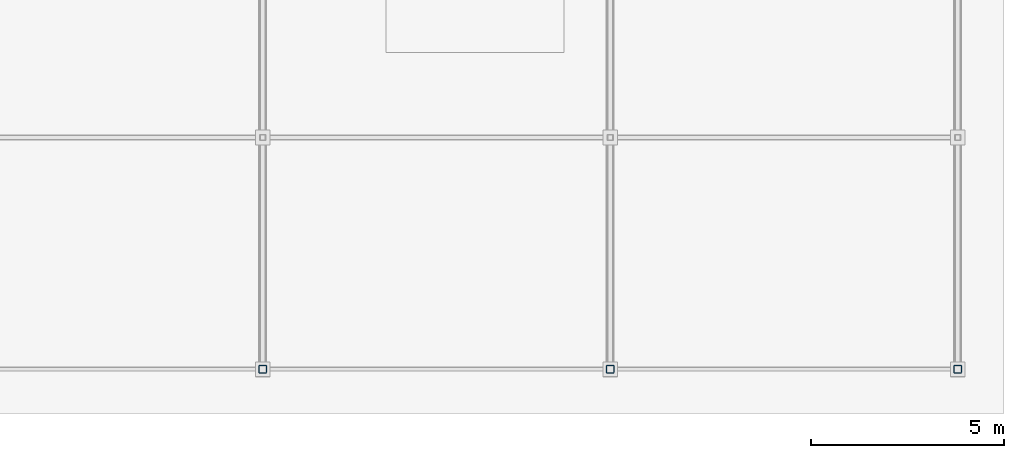
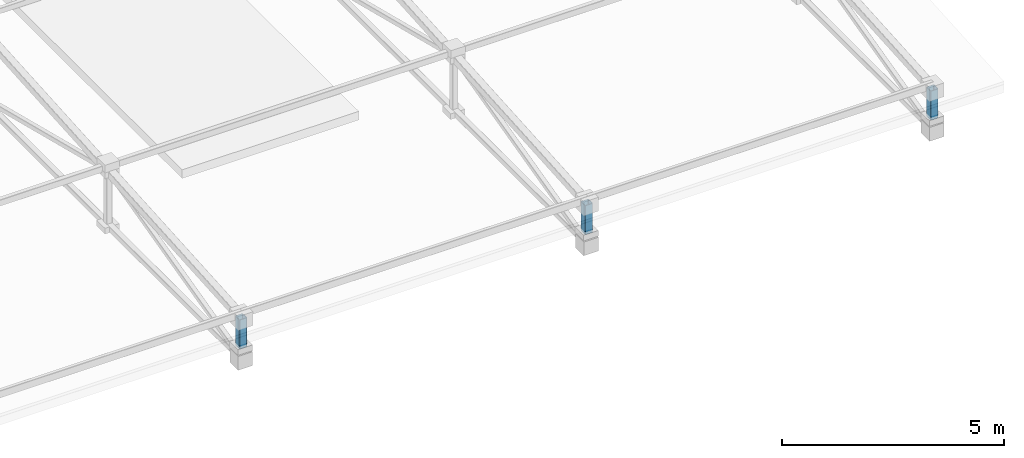
# One storey, part 59 of 85: 3 members.
"""IFC4 building model written with IfcOpenShell, lengths in metres."""

from ifc_helpers import new_model, si_unit, direction, frame, origin, origin_2d, place, context, subcontext, project, spatial, hollow_rectangle, extrude, material, material_profile, profile_set, type_object, element, save


model = new_model("IFC4")

# Units and contexts
model_context = context("Model", 3, precision=1e-05, world=origin(), true_north=direction((0.0, 1.0)))
body_context = subcontext(model_context, "Body", "Model", "MODEL_VIEW")
ifc_project = project(units=[si_unit("LENGTHUNIT", "METRE"), si_unit("AREAUNIT", "SQUARE_METRE"), si_unit("VOLUMEUNIT", "CUBIC_METRE"), si_unit("PLANEANGLEUNIT", "RADIAN"), si_unit("MASSUNIT", "GRAM", prefix="KILO"), si_unit("THERMODYNAMICTEMPERATUREUNIT", "KELVIN"), si_unit("POWERUNIT", "WATT")], contexts=[model_context])

# Site, building, storey
site_placement = place(None, origin())
site = spatial("IfcSite", under=ifc_project, at=site_placement, CompositionType="ELEMENT")
building_placement = place(site_placement, origin())
building = spatial("IfcBuilding", under=site, at=building_placement, Name="Zelmaris Science Centre", CompositionType="ELEMENT")
storey_placement = place(building_placement, frame((0.0, 0.0, 20.39990234375)))
storey = spatial("IfcBuildingStorey", under=building, at=storey_placement, Name="L04", CompositionType="ELEMENT", Elevation=20.39990234375)

# Members
ifc_material = material(Name="Steel ASTM A500 Grade C", Category="steel")
ifc_material_profile = material_profile(ifc_material, hollow_rectangle(XDim=0.203125, YDim=0.203125, WallThickness=0.01171875, InnerFilletRadius=0.01171875, OuterFilletRadius=0.023681640625, at=origin_2d()), Name="HSS203X203X13")
ifc_profile_set = profile_set([ifc_material_profile], Name="Steel ASTM A500 Grade C")
member_type = type_object("IfcMemberType", Name="Structural Brace BR-02 HSS203X203X13", PredefinedType="BRACE", material=ifc_profile_set)
for number, where, z_axis, x_axis, name in (
    (1, (117.0, 8.0, 1.25), (0.0, 0.0, 1.0), (1.0, 0.0, 0.0), "RF-V4 Roof truss 2 end post VS"),
    (2, (126.0, 8.0, 1.25), (0.0, 0.0, 1.0), (1.0, 0.0, 0.0), "RF-V4 Roof truss 3 end post VS"),
    (3, (135.0, 8.0, 1.25), (0.0, 0.0, 1.0), (1.0, 0.0, 0.0), "RF-V4 Roof truss 4 end post VS"),
):
    element("IfcMember", number, at=place(storey_placement, frame(where, z_axis=z_axis, x_axis=x_axis)), inside=storey, type_object=member_type, Name=name, PredefinedType="BRACE", context=body_context, shape_type="SweptSolid", body=[
        extrude(hollow_rectangle(XDim=0.203125, YDim=0.203125, WallThickness=0.01171875, InnerFilletRadius=0.01171875, OuterFilletRadius=0.023681640625, at=origin_2d()), origin(), (0.0, 0.0, 1.0), 0.7978515625),
    ])

save(model, "model.ifc")
